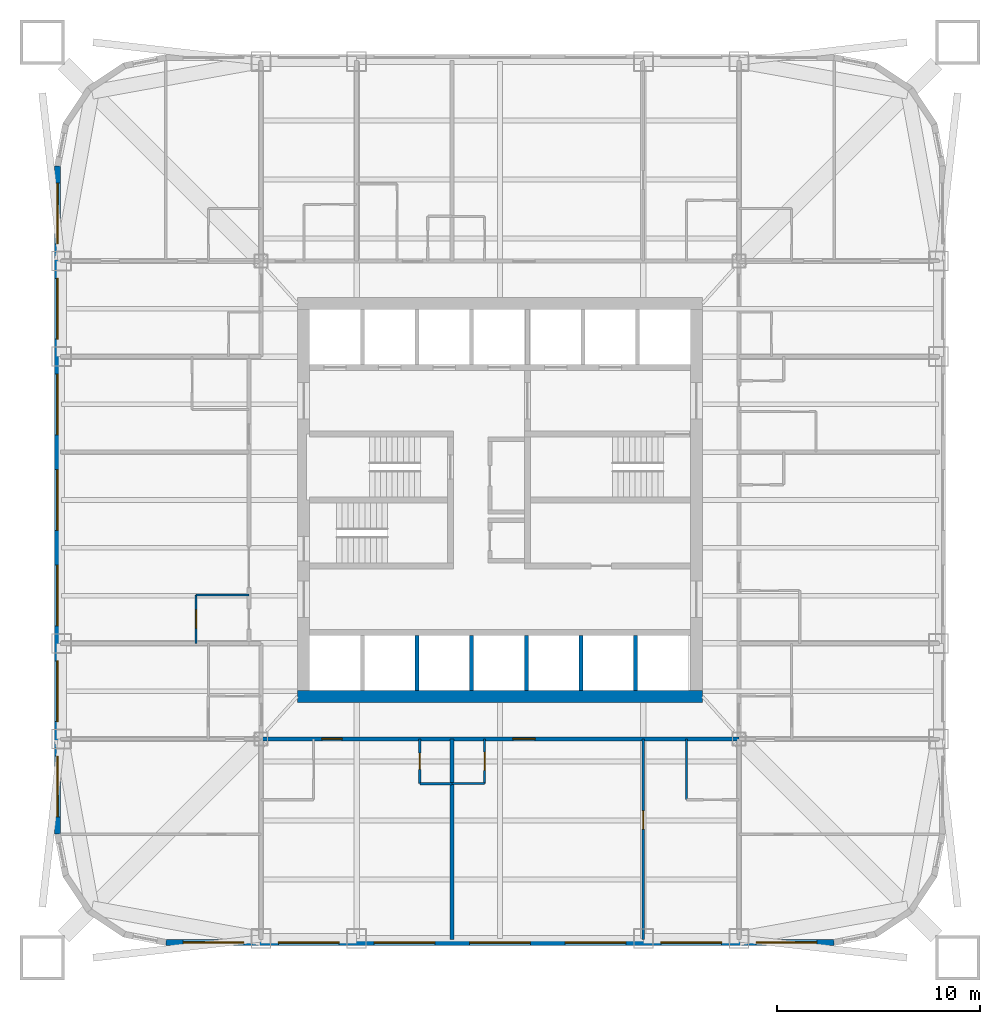
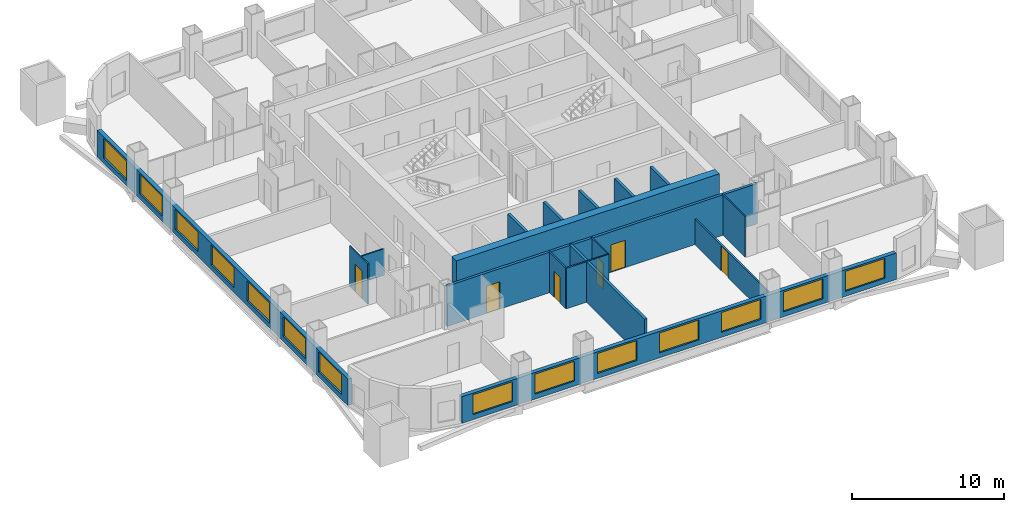
# One storey, part 3 of 9: 18 walls, 14 windows, 6 doors, 20 openings.
"""IFC4 building model written with IfcOpenShell, lengths in metres."""

from ifc_helpers import new_model, si_unit, direction, frame, frame_2d, origin, place, context, subcontext, project, spatial, rectangle, extrude, material, layer, layer_set, type_object, element, fill, save


model = new_model("IFC4")

# Units and contexts
model_context = context("Model", 3, precision=1e-05, world=origin(), true_north=direction((0.0, 1.0)))
body_context = subcontext(model_context, "Body", "Model", "MODEL_VIEW")
ifc_project = project(units=[si_unit("LENGTHUNIT", "METRE"), si_unit("AREAUNIT", "SQUARE_METRE"), si_unit("VOLUMEUNIT", "CUBIC_METRE"), si_unit("PLANEANGLEUNIT", "RADIAN"), si_unit("MASSUNIT", "GRAM", prefix="KILO")], contexts=[model_context])

# Site, building, storey
site_placement = place(None, origin())
site = spatial("IfcSite", under=ifc_project, at=site_placement, CompositionType="ELEMENT")
building_placement = place(site_placement, origin())
building = spatial("IfcBuilding", under=site, at=building_placement, Name="Turquesa Mirador Hotel Tower", CompositionType="ELEMENT")
storey_placement = place(building_placement, frame((0.0, 0.0, 84.5)))
storey = spatial("IfcBuildingStorey", under=building, at=storey_placement, Name="L22", CompositionType="ELEMENT", Elevation=84.5)

# Walls
ifc_material_1 = material(Name="Gypsum board on steel studs", Category="steel")
ifc_layer_1 = layer(ifc_material_1, 0.10009765625)
ifc_layer_set_1 = layer_set([ifc_layer_1], Name="BATHROOM WALL 100")
wall_type_1 = type_object("IfcWallType", Name="BATHROOM WALL 100", PredefinedType="PARTITIONING", material=ifc_layer_set_1)
wall_1_placement = place(storey_placement, frame((52.639892578125, 31.0, 0.0), z_axis=(0.0, 0.0, 1.0), x_axis=(1.0, 0.0, 0.0)))
element("IfcWall", 1, at=wall_1_placement, inside=storey, type_object=wall_type_1, Name="Partition L22 004", PredefinedType="PARTITIONING", context=body_context, shape_type="SweptSolid", body=[
    extrude(rectangle(XDim=1.60009765625, YDim=0.10009765625, at=frame_2d((0.800048828125, 0.0))), origin(), (0.0, 0.0, 1.0), 3.25),
])
wall_2_placement = place(storey_placement, frame((40.0, 40.320068359375, 0.0), z_axis=(0.0, 0.0, 1.0), x_axis=(1.0, 0.0, 0.0)))
element("IfcWall", 2, at=wall_2_placement, inside=storey, type_object=wall_type_1, Name="Partition L22 011", PredefinedType="PARTITIONING", context=body_context, shape_type="SweptSolid", body=[
    extrude(rectangle(XDim=2.60009765625, YDim=0.10009765625, at=frame_2d((1.300048828125, 0.0))), origin(), (0.0, 0.0, 1.0), 2.13232421875),
])

# Wall, opening, door
wall_3_placement = place(storey_placement, frame((54.239990234375, 31.0, 0.0), z_axis=(0.0, 0.0, 1.0), x_axis=(0.0, 1.0, 0.0)))
wall_3 = element("IfcWall", 3, at=wall_3_placement, inside=storey, type_object=wall_type_1, Name="Partition L22 040", PredefinedType="PARTITIONING", context=body_context, shape_type="SweptSolid", body=[
    extrude(rectangle(XDim=2.199951171875, YDim=0.10009765625, at=frame_2d((1.10009765625, 0.0))), origin(), (0.0, 0.0, 1.0), 3.25),
])
opening_1_placement = place(wall_3_placement, frame((0.64990234375, 0.0, 0.0)))
opening_1 = element("IfcOpeningElement", 4, at=opening_1_placement, cuts=wall_3, Name="Opening D06", PredefinedType="OPENING", context=body_context, shape_type="SweptSolid", body=[
    extrude(rectangle(XDim=0.89990234375, YDim=2.10009765625, at=frame_2d((0.449951171875, 1.050048828125))), frame((0.0, 0.06005859375, 0.0), z_axis=(0.0, -1.0, 0.0), x_axis=(1.0, 0.0, 0.0)), (0.0, 0.0, 1.0), 0.1201171875),
])
ifc_material_2 = material(Name="Laminate door", Category="wood")
door_type_1 = type_object("IfcDoorType", Name="DOOR 900X2100 WC", OperationType="SINGLE_SWING_LEFT", PredefinedType="DOOR", material=ifc_material_2)
door_1_placement = place(opening_1_placement, origin())
door_1 = element("IfcDoor", 5, at=door_1_placement, inside=storey, type_object=door_type_1, Name="Door 2205W", OperationType="SINGLE_SWING_LEFT", OverallHeight=2.10009765625, OverallWidth=0.89990234375, PredefinedType="DOOR", context=body_context, shape_type="SweptSolid", body=[
    extrude(rectangle(XDim=0.89990234375, YDim=2.10009765625, at=frame_2d((0.449951171875, 1.050048828125))), frame((0.0, 0.02490234375, 0.0), z_axis=(0.0, -1.0, 0.0), x_axis=(1.0, 0.0, 0.0)), (0.0, 0.0, 1.0), 0.050048828125),
])
fill(opening_1, door_1)

wall_4_placement = place(storey_placement, frame((40.0, 37.919921875, 0.0), z_axis=(0.0, 0.0, 1.0), x_axis=(0.0, 1.0, 0.0)))
wall_4 = element("IfcWall", 6, at=wall_4_placement, inside=storey, type_object=wall_type_1, Name="Partition L22 051", PredefinedType="PARTITIONING", context=body_context, shape_type="SweptSolid", body=[
    extrude(rectangle(XDim=2.400146484375, YDim=0.10009765625, at=frame_2d((1.2001953125, 0.0))), origin(), (0.0, 0.0, 1.0), 3.25),
])
opening_2_placement = place(wall_4_placement, frame((0.75, 0.0, 0.0)))
opening_2 = element("IfcOpeningElement", 7, at=opening_2_placement, cuts=wall_4, Name="Opening D17", PredefinedType="OPENING", context=body_context, shape_type="SweptSolid", body=[
    extrude(rectangle(XDim=0.89990234375, YDim=2.199951171875, at=frame_2d((0.449951171875, 1.10009765625))), frame((0.0, 0.06005859375, 0.0), z_axis=(0.0, -1.0, 0.0), x_axis=(1.0, 0.0, 0.0)), (0.0, 0.0, 1.0), 0.1201171875),
])
ifc_material_3 = material(Name="Timber veneered door", Category="wood")
door_type_2 = type_object("IfcDoorType", Name="DOOR 900X2200 SUITE INTERNAL", OperationType="SINGLE_SWING_LEFT", PredefinedType="DOOR", material=ifc_material_3)
door_2_placement = place(opening_2_placement, origin())
door_2 = element("IfcDoor", 8, at=door_2_placement, inside=storey, type_object=door_type_2, Name="Door L22-LGP", OperationType="SINGLE_SWING_LEFT", OverallHeight=2.199951171875, OverallWidth=0.89990234375, PredefinedType="DOOR", context=body_context, shape_type="SweptSolid", body=[
    extrude(rectangle(XDim=0.89990234375, YDim=2.199951171875, at=frame_2d((0.449951171875, 1.10009765625))), frame((0.0, 0.02490234375, 0.0), z_axis=(0.0, -1.0, 0.0), x_axis=(1.0, 0.0, 0.0)), (0.0, 0.0, 1.0), 0.050048828125),
])
fill(opening_2, door_2)

# Walls
wall_5_placement = place(storey_placement, frame((64.199951171875, 30.199951171875, 0.0), z_axis=(0.0, 0.0, 1.0), x_axis=(0.0, 1.0, 0.0)))
element("IfcWall", 9, at=wall_5_placement, inside=storey, type_object=wall_type_1, Name="Partition L22 076", PredefinedType="PARTITIONING", context=body_context, shape_type="SweptSolid", body=[
    extrude(rectangle(XDim=3.0, YDim=0.10009765625, at=frame_2d((1.5, 0.0))), origin(), (0.0, 0.0, 1.0), 3.25),
])
ifc_material_4 = material(Name="Concrete C50/60", Category="concrete")
ifc_layer_2 = layer(ifc_material_4, 0.60009765625)
ifc_layer_set_2 = layer_set([ifc_layer_2], Name="CORE WALL 600")
wall_type_2 = type_object("IfcWallType", Name="CORE WALL 600", PredefinedType="SHEAR", material=ifc_layer_set_2)
wall_6_placement = place(storey_placement, frame((45.0, 35.300048828125, 0.0), z_axis=(0.0, 0.0, 1.0), x_axis=(1.0, 0.0, 0.0)))
element("IfcWall", 10, at=wall_6_placement, inside=storey, type_object=wall_type_2, Name="Core wall S", PredefinedType="SHEAR", context=body_context, shape_type="SweptSolid", body=[
    extrude(rectangle(XDim=20.0, YDim=0.60009765625, at=frame_2d((10.0, 0.0))), origin(), (0.0, 0.0, 1.0), 3.5),
])

# Wall, openings, doors
ifc_material_5 = material(Name="Fire-rated gypsum board on steel studs", Category="steel")
ifc_layer_3 = layer(ifc_material_5, 0.199951171875)
ifc_layer_set_3 = layer_set([ifc_layer_3], Name="CORRIDOR WALL 200")
wall_type_3 = type_object("IfcWallType", Name="CORRIDOR WALL 200", PredefinedType="PARTITIONING", material=ifc_layer_set_3)
wall_7_placement = place(storey_placement, frame((43.199951171875, 33.199951171875, 0.0), z_axis=(0.0, 0.0, 1.0), x_axis=(1.0, 0.0, 0.0)))
wall_7 = element("IfcWall", 11, at=wall_7_placement, inside=storey, type_object=wall_type_3, Name="Partition L22 001", PredefinedType="PARTITIONING", context=body_context, shape_type="SweptSolid", body=[
    extrude(rectangle(XDim=23.60009765625, YDim=0.199951171875, at=frame_2d((11.800048828125, 0.0))), origin(), (0.0, 0.0, 1.0), 3.25),
])
opening_3_placement = place(wall_7_placement, frame((3.0, 0.0, 0.0)))
opening_3 = element("IfcOpeningElement", 12, at=opening_3_placement, cuts=wall_7, Name="Opening D01", PredefinedType="OPENING", context=body_context, shape_type="SweptSolid", body=[
    extrude(rectangle(XDim=1.0, YDim=2.199951171875, at=frame_2d((0.5, 1.10009765625))), frame((0.0, 0.10986328125, 0.0), z_axis=(0.0, -1.0, 0.0), x_axis=(1.0, 0.0, 0.0)), (0.0, 0.0, 1.0), 0.219970703125),
])
opening_4_placement = place(wall_7_placement, frame((12.43994140625, 0.0, 0.0)))
opening_4 = element("IfcOpeningElement", 13, at=opening_4_placement, cuts=wall_7, Name="Opening D15", PredefinedType="OPENING", context=body_context, shape_type="SweptSolid", body=[
    extrude(rectangle(XDim=1.10009765625, YDim=2.199951171875, at=frame_2d((0.550048828125, 1.10009765625))), frame((0.0, 0.10986328125, 0.0), z_axis=(0.0, -1.0, 0.0), x_axis=(1.0, 0.0, 0.0)), (0.0, 0.0, 1.0), 0.219970703125),
])
ifc_material_6 = material(Name="Timber veneered fire door", Category="wood")
door_type_3 = type_object("IfcDoorType", Name="DOOR 1000X2200 GUEST ENTRY", OperationType="SINGLE_SWING_LEFT", PredefinedType="DOOR", material=ifc_material_6)
door_3_placement = place(opening_3_placement, origin())
door_3 = element("IfcDoor", 14, at=door_3_placement, inside=storey, type_object=door_type_3, Name="Door 2204", OperationType="SINGLE_SWING_LEFT", OverallHeight=2.199951171875, OverallWidth=1.0, PredefinedType="DOOR", context=body_context, shape_type="SweptSolid", body=[
    extrude(rectangle(XDim=1.0, YDim=2.199951171875, at=frame_2d((0.5, 1.10009765625))), frame((0.0, 0.02490234375, 0.0), z_axis=(0.0, -1.0, 0.0), x_axis=(1.0, 0.0, 0.0)), (0.0, 0.0, 1.0), 0.050048828125),
])
fill(opening_3, door_3)
ifc_material_7 = material(Name="Timber veneered fire door", Category="wood")
door_type_4 = type_object("IfcDoorType", Name="DOOR 1100X2200 SUITE ENTRY", OperationType="SINGLE_SWING_LEFT", PredefinedType="DOOR", material=ifc_material_7)
door_4_placement = place(opening_4_placement, origin())
door_4 = element("IfcDoor", 15, at=door_4_placement, inside=storey, type_object=door_type_4, Name="Door 2205", OperationType="SINGLE_SWING_LEFT", OverallHeight=2.199951171875, OverallWidth=1.10009765625, PredefinedType="DOOR", context=body_context, shape_type="SweptSolid", body=[
    extrude(rectangle(XDim=1.10009765625, YDim=2.199951171875, at=frame_2d((0.550048828125, 1.10009765625))), frame((0.0, 0.02490234375, 0.0), z_axis=(0.0, -1.0, 0.0), x_axis=(1.0, 0.0, 0.0)), (0.0, 0.0, 1.0), 0.050048828125),
])
fill(opening_4, door_4)

# Wall, openings, windows
ifc_material_8 = material(Name="Limestone cladding on concrete block", Category="masonry")
ifc_layer_4 = layer(ifc_material_8, 0.300048828125)
ifc_layer_set_4 = layer_set([ifc_layer_4], Name="FACADE WALL 300 STONE SCREEN")
wall_type_4 = type_object("IfcWallType", Name="FACADE WALL 300 STONE SCREEN", PredefinedType="SOLIDWALL", material=ifc_layer_set_4)
wall_8_placement = place(storey_placement, frame((33.14990234375, 61.5, 0.0), z_axis=(0.0, 0.0, 1.0), x_axis=(0.0, -1.0, 0.0)))
wall_8 = element("IfcWall", 16, at=wall_8_placement, inside=storey, type_object=wall_type_4, Name="Facade wall L22 14", PredefinedType="SOLIDWALL", context=body_context, shape_type="SweptSolid", body=[
    extrude(rectangle(XDim=33.0, YDim=0.300048828125, at=frame_2d((16.5, 0.0))), origin(), (0.0, 0.0, 1.0), 2.13232421875),
])
opening_5_placement = place(wall_8_placement, frame((0.85009765625, 0.0, 0.39990234375)))
opening_5 = element("IfcOpeningElement", 17, at=opening_5_placement, cuts=wall_8, Name="Opening WN7", PredefinedType="OPENING", context=body_context, shape_type="SweptSolid", body=[
    extrude(rectangle(XDim=3.0, YDim=1.60009765625, at=frame_2d((1.5, 0.800048828125))), frame((0.0, 0.159912109375, 0.0), z_axis=(0.0, -1.0, 0.0), x_axis=(1.0, 0.0, 0.0)), (0.0, 0.0, 1.0), 0.320068359375),
])
opening_6_placement = place(wall_8_placement, frame((5.56005859375, 0.0, 0.39990234375)))
opening_6 = element("IfcOpeningElement", 18, at=opening_6_placement, cuts=wall_8, Name="Opening WN7", PredefinedType="OPENING", context=body_context, shape_type="SweptSolid", body=[
    extrude(rectangle(XDim=3.0, YDim=1.60009765625, at=frame_2d((1.5, 0.800048828125))), frame((0.0, 0.159912109375, 0.0), z_axis=(0.0, -1.0, 0.0), x_axis=(1.0, 0.0, 0.0)), (0.0, 0.0, 1.0), 0.320068359375),
])
opening_7_placement = place(wall_8_placement, frame((10.280029296875, 0.0, 0.39990234375)))
opening_7 = element("IfcOpeningElement", 19, at=opening_7_placement, cuts=wall_8, Name="Opening WN7", PredefinedType="OPENING", context=body_context, shape_type="SweptSolid", body=[
    extrude(rectangle(XDim=3.0, YDim=1.60009765625, at=frame_2d((1.5, 0.800048828125))), frame((0.0, 0.159912109375, 0.0), z_axis=(0.0, -1.0, 0.0), x_axis=(1.0, 0.0, 0.0)), (0.0, 0.0, 1.0), 0.320068359375),
])
opening_8_placement = place(wall_8_placement, frame((15.0, 0.0, 0.39990234375)))
opening_8 = element("IfcOpeningElement", 20, at=opening_8_placement, cuts=wall_8, Name="Opening WN7", PredefinedType="OPENING", context=body_context, shape_type="SweptSolid", body=[
    extrude(rectangle(XDim=3.0, YDim=1.60009765625, at=frame_2d((1.5, 0.800048828125))), frame((0.0, 0.159912109375, 0.0), z_axis=(0.0, -1.0, 0.0), x_axis=(1.0, 0.0, 0.0)), (0.0, 0.0, 1.0), 0.320068359375),
])
opening_9_placement = place(wall_8_placement, frame((19.719970703125, 0.0, 0.39990234375)))
opening_9 = element("IfcOpeningElement", 21, at=opening_9_placement, cuts=wall_8, Name="Opening WN7", PredefinedType="OPENING", context=body_context, shape_type="SweptSolid", body=[
    extrude(rectangle(XDim=3.0, YDim=1.60009765625, at=frame_2d((1.5, 0.800048828125))), frame((0.0, 0.159912109375, 0.0), z_axis=(0.0, -1.0, 0.0), x_axis=(1.0, 0.0, 0.0)), (0.0, 0.0, 1.0), 0.320068359375),
])
opening_10_placement = place(wall_8_placement, frame((24.43994140625, 0.0, 0.39990234375)))
opening_10 = element("IfcOpeningElement", 22, at=opening_10_placement, cuts=wall_8, Name="Opening WN7", PredefinedType="OPENING", context=body_context, shape_type="SweptSolid", body=[
    extrude(rectangle(XDim=3.0, YDim=1.60009765625, at=frame_2d((1.5, 0.800048828125))), frame((0.0, 0.159912109375, 0.0), z_axis=(0.0, -1.0, 0.0), x_axis=(1.0, 0.0, 0.0)), (0.0, 0.0, 1.0), 0.320068359375),
])
opening_11_placement = place(wall_8_placement, frame((29.14990234375, 0.0, 0.39990234375)))
opening_11 = element("IfcOpeningElement", 23, at=opening_11_placement, cuts=wall_8, Name="Opening WN7", PredefinedType="OPENING", context=body_context, shape_type="SweptSolid", body=[
    extrude(rectangle(XDim=3.0, YDim=1.60009765625, at=frame_2d((1.5, 0.800048828125))), frame((0.0, 0.159912109375, 0.0), z_axis=(0.0, -1.0, 0.0), x_axis=(1.0, 0.0, 0.0)), (0.0, 0.0, 1.0), 0.320068359375),
])
ifc_material_9 = material(Name="Ceramic-fritted laminated glass", Category="glass")
window_type = type_object("IfcWindowType", Name="FRITTED WINDOW 3000X1600", PartitioningType="DOUBLE_PANEL_HORIZONTAL", PredefinedType="WINDOW", material=ifc_material_9)
window_1_placement = place(opening_5_placement, origin())
window_1 = element("IfcWindow", 24, at=window_1_placement, inside=storey, type_object=window_type, Name="Window L22", OverallHeight=1.60009765625, OverallWidth=3.0, PartitioningType="SINGLE_PANEL", PredefinedType="WINDOW", context=body_context, shape_type="SweptSolid", body=[
    extrude(rectangle(XDim=3.0, YDim=1.60009765625, at=frame_2d((1.5, 0.800048828125))), frame((0.0, 0.030029296875, 0.0), z_axis=(0.0, -1.0, 0.0), x_axis=(1.0, 0.0, 0.0)), (0.0, 0.0, 1.0), 0.06005859375),
])
fill(opening_5, window_1)
window_2_placement = place(opening_6_placement, origin())
window_2 = element("IfcWindow", 25, at=window_2_placement, inside=storey, type_object=window_type, Name="Window L22", OverallHeight=1.60009765625, OverallWidth=3.0, PartitioningType="SINGLE_PANEL", PredefinedType="WINDOW", context=body_context, shape_type="SweptSolid", body=[
    extrude(rectangle(XDim=3.0, YDim=1.60009765625, at=frame_2d((1.5, 0.800048828125))), frame((0.0, 0.030029296875, 0.0), z_axis=(0.0, -1.0, 0.0), x_axis=(1.0, 0.0, 0.0)), (0.0, 0.0, 1.0), 0.06005859375),
])
fill(opening_6, window_2)
window_3_placement = place(opening_7_placement, origin())
window_3 = element("IfcWindow", 26, at=window_3_placement, inside=storey, type_object=window_type, Name="Window L22", OverallHeight=1.60009765625, OverallWidth=3.0, PartitioningType="SINGLE_PANEL", PredefinedType="WINDOW", context=body_context, shape_type="SweptSolid", body=[
    extrude(rectangle(XDim=3.0, YDim=1.60009765625, at=frame_2d((1.5, 0.800048828125))), frame((0.0, 0.030029296875, 0.0), z_axis=(0.0, -1.0, 0.0), x_axis=(1.0, 0.0, 0.0)), (0.0, 0.0, 1.0), 0.06005859375),
])
fill(opening_7, window_3)
window_4_placement = place(opening_8_placement, origin())
window_4 = element("IfcWindow", 27, at=window_4_placement, inside=storey, type_object=window_type, Name="Window L22", OverallHeight=1.60009765625, OverallWidth=3.0, PartitioningType="SINGLE_PANEL", PredefinedType="WINDOW", context=body_context, shape_type="SweptSolid", body=[
    extrude(rectangle(XDim=3.0, YDim=1.60009765625, at=frame_2d((1.5, 0.800048828125))), frame((0.0, 0.030029296875, 0.0), z_axis=(0.0, -1.0, 0.0), x_axis=(1.0, 0.0, 0.0)), (0.0, 0.0, 1.0), 0.06005859375),
])
fill(opening_8, window_4)
window_5_placement = place(opening_9_placement, origin())
window_5 = element("IfcWindow", 28, at=window_5_placement, inside=storey, type_object=window_type, Name="Window L22", OverallHeight=1.60009765625, OverallWidth=3.0, PartitioningType="SINGLE_PANEL", PredefinedType="WINDOW", context=body_context, shape_type="SweptSolid", body=[
    extrude(rectangle(XDim=3.0, YDim=1.60009765625, at=frame_2d((1.5, 0.800048828125))), frame((0.0, 0.030029296875, 0.0), z_axis=(0.0, -1.0, 0.0), x_axis=(1.0, 0.0, 0.0)), (0.0, 0.0, 1.0), 0.06005859375),
])
fill(opening_9, window_5)
window_6_placement = place(opening_10_placement, origin())
window_6 = element("IfcWindow", 29, at=window_6_placement, inside=storey, type_object=window_type, Name="Window L22", OverallHeight=1.60009765625, OverallWidth=3.0, PartitioningType="SINGLE_PANEL", PredefinedType="WINDOW", context=body_context, shape_type="SweptSolid", body=[
    extrude(rectangle(XDim=3.0, YDim=1.60009765625, at=frame_2d((1.5, 0.800048828125))), frame((0.0, 0.030029296875, 0.0), z_axis=(0.0, -1.0, 0.0), x_axis=(1.0, 0.0, 0.0)), (0.0, 0.0, 1.0), 0.06005859375),
])
fill(opening_10, window_6)
window_7_placement = place(opening_11_placement, origin())
window_7 = element("IfcWindow", 30, at=window_7_placement, inside=storey, type_object=window_type, Name="Window L22", OverallHeight=1.60009765625, OverallWidth=3.0, PartitioningType="SINGLE_PANEL", PredefinedType="WINDOW", context=body_context, shape_type="SweptSolid", body=[
    extrude(rectangle(XDim=3.0, YDim=1.60009765625, at=frame_2d((1.5, 0.800048828125))), frame((0.0, 0.030029296875, 0.0), z_axis=(0.0, -1.0, 0.0), x_axis=(1.0, 0.0, 0.0)), (0.0, 0.0, 1.0), 0.06005859375),
])
fill(opening_11, window_7)

wall_9_placement = place(storey_placement, frame((38.5, 23.14990234375, 0.0), z_axis=(0.0, 0.0, 1.0), x_axis=(1.0, 0.0, 0.0)))
wall_9 = element("IfcWall", 31, at=wall_9_placement, inside=storey, type_object=wall_type_4, Name="Facade wall L22 19", PredefinedType="SOLIDWALL", context=body_context, shape_type="SweptSolid", body=[
    extrude(rectangle(XDim=33.0, YDim=0.300048828125, at=frame_2d((16.5, 0.0))), origin(), (0.0, 0.0, 1.0), 2.13232421875),
])
opening_12_placement = place(wall_9_placement, frame((0.85009765625, 0.0, 0.39990234375)))
opening_12 = element("IfcOpeningElement", 32, at=opening_12_placement, cuts=wall_9, Name="Opening WN7", PredefinedType="OPENING", context=body_context, shape_type="SweptSolid", body=[
    extrude(rectangle(XDim=3.0, YDim=1.60009765625, at=frame_2d((1.5, 0.800048828125))), frame((0.0, 0.159912109375, 0.0), z_axis=(0.0, -1.0, 0.0), x_axis=(1.0, 0.0, 0.0)), (0.0, 0.0, 1.0), 0.320068359375),
])
opening_13_placement = place(wall_9_placement, frame((5.56005859375, 0.0, 0.39990234375)))
opening_13 = element("IfcOpeningElement", 33, at=opening_13_placement, cuts=wall_9, Name="Opening WN7", PredefinedType="OPENING", context=body_context, shape_type="SweptSolid", body=[
    extrude(rectangle(XDim=3.0, YDim=1.60009765625, at=frame_2d((1.5, 0.800048828125))), frame((0.0, 0.159912109375, 0.0), z_axis=(0.0, -1.0, 0.0), x_axis=(1.0, 0.0, 0.0)), (0.0, 0.0, 1.0), 0.320068359375),
])
opening_14_placement = place(wall_9_placement, frame((10.280029296875, 0.0, 0.39990234375)))
opening_14 = element("IfcOpeningElement", 34, at=opening_14_placement, cuts=wall_9, Name="Opening WN7", PredefinedType="OPENING", context=body_context, shape_type="SweptSolid", body=[
    extrude(rectangle(XDim=3.0, YDim=1.60009765625, at=frame_2d((1.5, 0.800048828125))), frame((0.0, 0.159912109375, 0.0), z_axis=(0.0, -1.0, 0.0), x_axis=(1.0, 0.0, 0.0)), (0.0, 0.0, 1.0), 0.320068359375),
])
opening_15_placement = place(wall_9_placement, frame((15.0, 0.0, 0.39990234375)))
opening_15 = element("IfcOpeningElement", 35, at=opening_15_placement, cuts=wall_9, Name="Opening WN7", PredefinedType="OPENING", context=body_context, shape_type="SweptSolid", body=[
    extrude(rectangle(XDim=3.0, YDim=1.60009765625, at=frame_2d((1.5, 0.800048828125))), frame((0.0, 0.159912109375, 0.0), z_axis=(0.0, -1.0, 0.0), x_axis=(1.0, 0.0, 0.0)), (0.0, 0.0, 1.0), 0.320068359375),
])
opening_16_placement = place(wall_9_placement, frame((19.719970703125, 0.0, 0.39990234375)))
opening_16 = element("IfcOpeningElement", 36, at=opening_16_placement, cuts=wall_9, Name="Opening WN7", PredefinedType="OPENING", context=body_context, shape_type="SweptSolid", body=[
    extrude(rectangle(XDim=3.0, YDim=1.60009765625, at=frame_2d((1.5, 0.800048828125))), frame((0.0, 0.159912109375, 0.0), z_axis=(0.0, -1.0, 0.0), x_axis=(1.0, 0.0, 0.0)), (0.0, 0.0, 1.0), 0.320068359375),
])
opening_17_placement = place(wall_9_placement, frame((24.43994140625, 0.0, 0.39990234375)))
opening_17 = element("IfcOpeningElement", 37, at=opening_17_placement, cuts=wall_9, Name="Opening WN7", PredefinedType="OPENING", context=body_context, shape_type="SweptSolid", body=[
    extrude(rectangle(XDim=3.0, YDim=1.60009765625, at=frame_2d((1.5, 0.800048828125))), frame((0.0, 0.159912109375, 0.0), z_axis=(0.0, -1.0, 0.0), x_axis=(1.0, 0.0, 0.0)), (0.0, 0.0, 1.0), 0.320068359375),
])
opening_18_placement = place(wall_9_placement, frame((29.14990234375, 0.0, 0.39990234375)))
opening_18 = element("IfcOpeningElement", 38, at=opening_18_placement, cuts=wall_9, Name="Opening WN7", PredefinedType="OPENING", context=body_context, shape_type="SweptSolid", body=[
    extrude(rectangle(XDim=3.0, YDim=1.60009765625, at=frame_2d((1.5, 0.800048828125))), frame((0.0, 0.159912109375, 0.0), z_axis=(0.0, -1.0, 0.0), x_axis=(1.0, 0.0, 0.0)), (0.0, 0.0, 1.0), 0.320068359375),
])
window_8_placement = place(opening_12_placement, origin())
window_8 = element("IfcWindow", 39, at=window_8_placement, inside=storey, type_object=window_type, Name="Window L22", OverallHeight=1.60009765625, OverallWidth=3.0, PartitioningType="SINGLE_PANEL", PredefinedType="WINDOW", context=body_context, shape_type="SweptSolid", body=[
    extrude(rectangle(XDim=3.0, YDim=1.60009765625, at=frame_2d((1.5, 0.800048828125))), frame((0.0, 0.030029296875, 0.0), z_axis=(0.0, -1.0, 0.0), x_axis=(1.0, 0.0, 0.0)), (0.0, 0.0, 1.0), 0.06005859375),
])
fill(opening_12, window_8)
window_9_placement = place(opening_13_placement, origin())
window_9 = element("IfcWindow", 40, at=window_9_placement, inside=storey, type_object=window_type, Name="Window L22", OverallHeight=1.60009765625, OverallWidth=3.0, PartitioningType="SINGLE_PANEL", PredefinedType="WINDOW", context=body_context, shape_type="SweptSolid", body=[
    extrude(rectangle(XDim=3.0, YDim=1.60009765625, at=frame_2d((1.5, 0.800048828125))), frame((0.0, 0.030029296875, 0.0), z_axis=(0.0, -1.0, 0.0), x_axis=(1.0, 0.0, 0.0)), (0.0, 0.0, 1.0), 0.06005859375),
])
fill(opening_13, window_9)
window_10_placement = place(opening_14_placement, origin())
window_10 = element("IfcWindow", 41, at=window_10_placement, inside=storey, type_object=window_type, Name="Window L22", OverallHeight=1.60009765625, OverallWidth=3.0, PartitioningType="SINGLE_PANEL", PredefinedType="WINDOW", context=body_context, shape_type="SweptSolid", body=[
    extrude(rectangle(XDim=3.0, YDim=1.60009765625, at=frame_2d((1.5, 0.800048828125))), frame((0.0, 0.030029296875, 0.0), z_axis=(0.0, -1.0, 0.0), x_axis=(1.0, 0.0, 0.0)), (0.0, 0.0, 1.0), 0.06005859375),
])
fill(opening_14, window_10)
window_11_placement = place(opening_15_placement, origin())
window_11 = element("IfcWindow", 42, at=window_11_placement, inside=storey, type_object=window_type, Name="Window L22", OverallHeight=1.60009765625, OverallWidth=3.0, PartitioningType="SINGLE_PANEL", PredefinedType="WINDOW", context=body_context, shape_type="SweptSolid", body=[
    extrude(rectangle(XDim=3.0, YDim=1.60009765625, at=frame_2d((1.5, 0.800048828125))), frame((0.0, 0.030029296875, 0.0), z_axis=(0.0, -1.0, 0.0), x_axis=(1.0, 0.0, 0.0)), (0.0, 0.0, 1.0), 0.06005859375),
])
fill(opening_15, window_11)
window_12_placement = place(opening_16_placement, origin())
window_12 = element("IfcWindow", 43, at=window_12_placement, inside=storey, type_object=window_type, Name="Window L22", OverallHeight=1.60009765625, OverallWidth=3.0, PartitioningType="SINGLE_PANEL", PredefinedType="WINDOW", context=body_context, shape_type="SweptSolid", body=[
    extrude(rectangle(XDim=3.0, YDim=1.60009765625, at=frame_2d((1.5, 0.800048828125))), frame((0.0, 0.030029296875, 0.0), z_axis=(0.0, -1.0, 0.0), x_axis=(1.0, 0.0, 0.0)), (0.0, 0.0, 1.0), 0.06005859375),
])
fill(opening_16, window_12)
window_13_placement = place(opening_17_placement, origin())
window_13 = element("IfcWindow", 44, at=window_13_placement, inside=storey, type_object=window_type, Name="Window L22", OverallHeight=1.60009765625, OverallWidth=3.0, PartitioningType="SINGLE_PANEL", PredefinedType="WINDOW", context=body_context, shape_type="SweptSolid", body=[
    extrude(rectangle(XDim=3.0, YDim=1.60009765625, at=frame_2d((1.5, 0.800048828125))), frame((0.0, 0.030029296875, 0.0), z_axis=(0.0, -1.0, 0.0), x_axis=(1.0, 0.0, 0.0)), (0.0, 0.0, 1.0), 0.06005859375),
])
fill(opening_17, window_13)
window_14_placement = place(opening_18_placement, origin())
window_14 = element("IfcWindow", 45, at=window_14_placement, inside=storey, type_object=window_type, Name="Window L22", OverallHeight=1.60009765625, OverallWidth=3.0, PartitioningType="SINGLE_PANEL", PredefinedType="WINDOW", context=body_context, shape_type="SweptSolid", body=[
    extrude(rectangle(XDim=3.0, YDim=1.60009765625, at=frame_2d((1.5, 0.800048828125))), frame((0.0, 0.030029296875, 0.0), z_axis=(0.0, -1.0, 0.0), x_axis=(1.0, 0.0, 0.0)), (0.0, 0.0, 1.0), 0.06005859375),
])
fill(opening_18, window_14)

# Walls
ifc_material_10 = material(Name="Fire-rated gypsum shaft wall on steel studs", Category="steel")
ifc_layer_5 = layer(ifc_material_10, 0.199951171875)
ifc_layer_set_5 = layer_set([ifc_layer_5], Name="LIFT SHAFT DIVIDER 200")
wall_type_5 = type_object("IfcWallType", Name="LIFT SHAFT DIVIDER 200", PredefinedType="PARTITIONING", material=ifc_layer_set_5)
for number, where, z_axis, x_axis, name in (
    (46, (50.89990234375, 35.60009765625, 0.0), (0.0, 0.0, 1.0), (0.0, 1.0, 0.0), "Lift shaft divider"),
    (47, (53.60009765625, 35.60009765625, 0.0), (0.0, 0.0, 1.0), (0.0, 1.0, 0.0), "Lift shaft divider"),
    (48, (56.300048828125, 35.60009765625, 0.0), (0.0, 0.0, 1.0), (0.0, 1.0, 0.0), "Lift shaft divider"),
    (49, (59.0, 35.60009765625, 0.0), (0.0, 0.0, 1.0), (0.0, 1.0, 0.0), "Lift shaft divider"),
    (50, (61.699951171875, 35.60009765625, 0.0), (0.0, 0.0, 1.0), (0.0, 1.0, 0.0), "Lift shaft divider"),
):
    element("IfcWall", number, at=place(storey_placement, frame(where, z_axis=z_axis, x_axis=x_axis)), inside=storey, type_object=wall_type_5, Name=name, PredefinedType="PARTITIONING", context=body_context, shape_type="SweptSolid", body=[
        extrude(rectangle(XDim=2.699951171875, YDim=0.199951171875, at=frame_2d((1.35009765625, 0.0))), origin(), (0.0, 0.0, 1.0), 3.25),
    ])
ifc_material_11 = material(Name="Fire-rated gypsum board on steel studs", Category="steel")
ifc_layer_6 = layer(ifc_material_11, 0.199951171875)
ifc_layer_set_6 = layer_set([ifc_layer_6], Name="PARTY WALL 200")
wall_type_6 = type_object("IfcWallType", Name="PARTY WALL 200", PredefinedType="PARTITIONING", material=ifc_layer_set_6)
wall_10_placement = place(storey_placement, frame((52.639892578125, 23.300048828125, 0.0), z_axis=(0.0, 0.0, 1.0), x_axis=(0.0, 1.0, 0.0)))
element("IfcWall", 51, at=wall_10_placement, inside=storey, type_object=wall_type_6, Name="Partition L22 054", PredefinedType="PARTITIONING", context=body_context, shape_type="SweptSolid", body=[
    extrude(rectangle(XDim=9.89990234375, YDim=0.199951171875, at=frame_2d((4.949951171875, 0.0))), origin(), (0.0, 0.0, 1.0), 3.25),
])
ifc_material_12 = material(Name="Acoustic gypsum board on steel studs", Category="steel")
ifc_layer_7 = layer(ifc_material_12, 0.125)
ifc_layer_set_7 = layer_set([ifc_layer_7], Name="SUITE PARTITION 125")
wall_type_7 = type_object("IfcWallType", Name="SUITE PARTITION 125", PredefinedType="PARTITIONING", material=ifc_layer_set_7)
wall_11_placement = place(storey_placement, frame((51.0400390625, 31.0, 0.0), z_axis=(0.0, 0.0, 1.0), x_axis=(1.0, 0.0, 0.0)))
element("IfcWall", 52, at=wall_11_placement, inside=storey, type_object=wall_type_7, Name="Partition L22 005", PredefinedType="PARTITIONING", context=body_context, shape_type="SweptSolid", body=[
    extrude(rectangle(XDim=1.599853515625, YDim=0.125, at=frame_2d((0.7998046875, 0.0))), origin(), (0.0, 0.0, 1.0), 3.25),
])

# Wall, opening, door
wall_12_placement = place(storey_placement, frame((51.0400390625, 31.0, 0.0), z_axis=(0.0, 0.0, 1.0), x_axis=(0.0, 1.0, 0.0)))
wall_12 = element("IfcWall", 53, at=wall_12_placement, inside=storey, type_object=wall_type_7, Name="Partition L22 057", PredefinedType="PARTITIONING", context=body_context, shape_type="SweptSolid", body=[
    extrude(rectangle(XDim=2.199951171875, YDim=0.125, at=frame_2d((1.10009765625, 0.0))), origin(), (0.0, 0.0, 1.0), 3.25),
])
opening_19_placement = place(wall_12_placement, frame((0.699951171875, 0.0, 0.0)))
opening_19 = element("IfcOpeningElement", 54, at=opening_19_placement, cuts=wall_12, Name="Opening D20", PredefinedType="OPENING", context=body_context, shape_type="SweptSolid", body=[
    extrude(rectangle(XDim=0.800048828125, YDim=2.10009765625, at=frame_2d((0.39990234375, 1.050048828125))), frame((0.0, 0.072509765625, 0.0), z_axis=(0.0, -1.0, 0.0), x_axis=(1.0, 0.0, 0.0)), (0.0, 0.0, 1.0), 0.14501953125),
])
ifc_material_13 = material(Name="Timber veneered sliding door", Category="wood")
door_type_5 = type_object("IfcDoorType", Name="DOOR 800X2100 WARDROBE", OperationType="SLIDING_TO_LEFT", PredefinedType="DOOR", material=ifc_material_13)
door_5_placement = place(opening_19_placement, origin())
door_5 = element("IfcDoor", 55, at=door_5_placement, inside=storey, type_object=door_type_5, Name="Door 2204W", OperationType="SLIDING_TO_LEFT", OverallHeight=2.10009765625, OverallWidth=0.800048828125, PredefinedType="DOOR", context=body_context, shape_type="SweptSolid", body=[
    extrude(rectangle(XDim=0.800048828125, YDim=2.10009765625, at=frame_2d((0.39990234375, 1.050048828125))), frame((0.0, 0.02490234375, 0.0), z_axis=(0.0, -1.0, 0.0), x_axis=(1.0, 0.0, 0.0)), (0.0, 0.0, 1.0), 0.050048828125),
])
fill(opening_19, door_5)

wall_13_placement = place(storey_placement, frame((62.080078125, 23.300048828125, 0.0), z_axis=(0.0, 0.0, 1.0), x_axis=(0.0, 1.0, 0.0)))
wall_13 = element("IfcWall", 56, at=wall_13_placement, inside=storey, type_object=wall_type_7, Name="Partition L22 074", PredefinedType="PARTITIONING", context=body_context, shape_type="SweptSolid", body=[
    extrude(rectangle(XDim=9.89990234375, YDim=0.125, at=frame_2d((4.949951171875, 0.0))), origin(), (0.0, 0.0, 1.0), 2.050048828125),
])
opening_20_placement = place(wall_13_placement, frame((5.449951171875, 0.0, 0.0)))
opening_20 = element("IfcOpeningElement", 57, at=opening_20_placement, cuts=wall_13, Name="Opening D24", PredefinedType="OPENING", context=body_context, shape_type="SweptSolid", body=[
    extrude(rectangle(XDim=0.89990234375, YDim=2.0, at=frame_2d((0.449951171875, 1.0))), frame((0.0, 0.072509765625, 0.0), z_axis=(0.0, -1.0, 0.0), x_axis=(1.0, 0.0, 0.0)), (0.0, 0.0, 1.0), 0.14501953125),
])
ifc_material_14 = material(Name="Timber veneered door", Category="wood")
door_type_6 = type_object("IfcDoorType", Name="DOOR 900X2000 SUITE INTERNAL", OperationType="SINGLE_SWING_LEFT", PredefinedType="DOOR", material=ifc_material_14)
door_6_placement = place(opening_20_placement, origin())
door_6 = element("IfcDoor", 58, at=door_6_placement, inside=storey, type_object=door_type_6, Name="Door 2205R", OperationType="SINGLE_SWING_LEFT", OverallHeight=2.0, OverallWidth=0.89990234375, PredefinedType="DOOR", context=body_context, shape_type="SweptSolid", body=[
    extrude(rectangle(XDim=0.89990234375, YDim=2.0, at=frame_2d((0.449951171875, 1.0))), frame((0.0, 0.02490234375, 0.0), z_axis=(0.0, -1.0, 0.0), x_axis=(1.0, 0.0, 0.0)), (0.0, 0.0, 1.0), 0.050048828125),
])
fill(opening_20, door_6)

save(model, "model.ifc")
